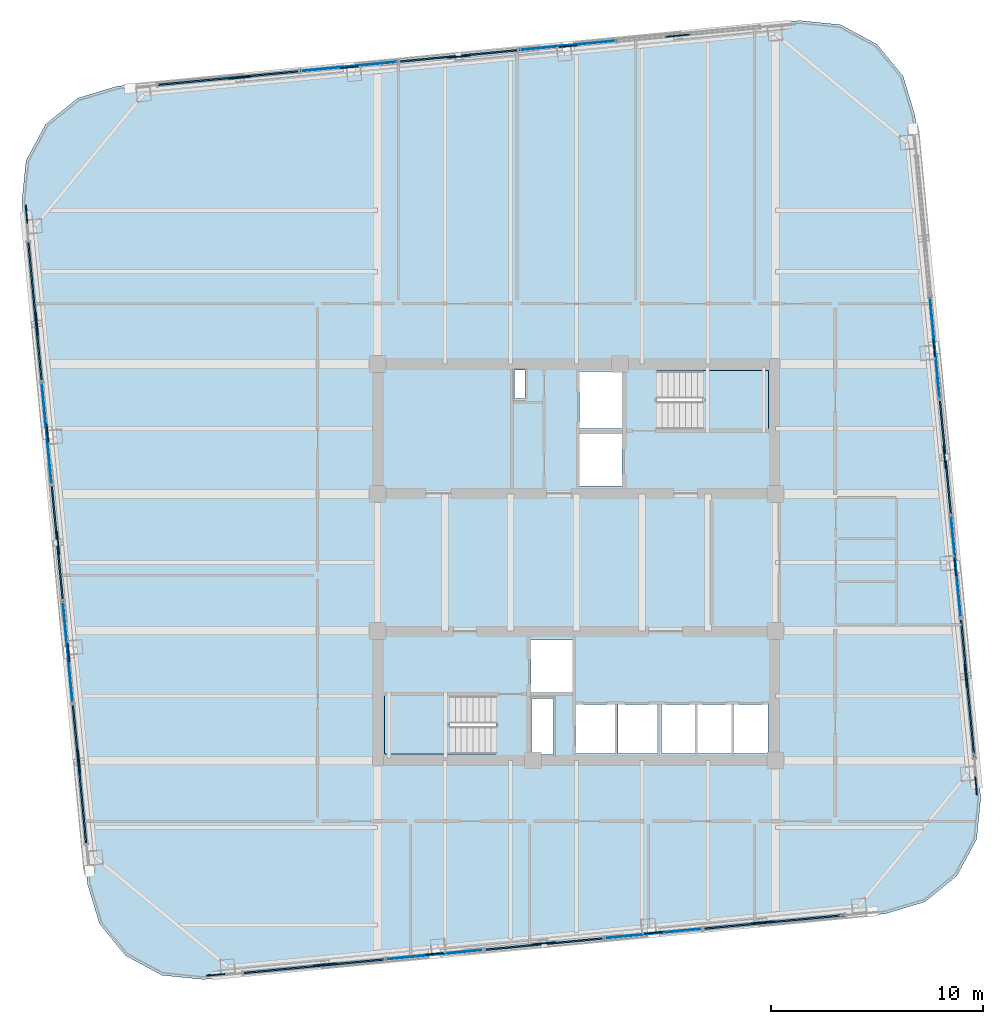
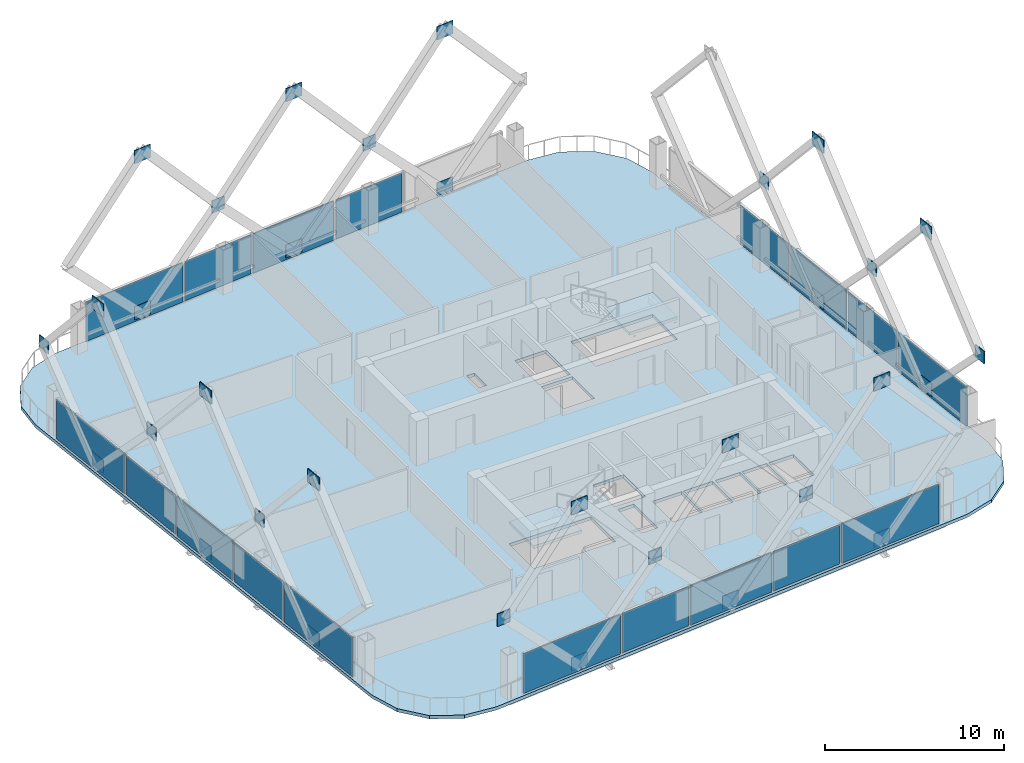
# One storey, part 28 of 34: 51 plates, 3 slabs, 20 elements without a shape of their own.
"""IFC4 building model written with IfcOpenShell, lengths in metres."""

from ifc_helpers import new_model, si_unit, direction, frame, origin, origin_2d, place, context, subcontext, project, spatial, polyline, rectangle, outline, extrude, material, layer, layer_set, type_object, element, aggregate, save


model = new_model("IFC4")

# Units and contexts
model_context = context("Model", 3, precision=1e-05, world=origin(), true_north=direction((0.0, 1.0)))
body_context = subcontext(model_context, "Body", "Model", "MODEL_VIEW")
ifc_project = project(units=[si_unit("LENGTHUNIT", "METRE"), si_unit("AREAUNIT", "SQUARE_METRE"), si_unit("VOLUMEUNIT", "CUBIC_METRE"), si_unit("PLANEANGLEUNIT", "RADIAN"), si_unit("MASSUNIT", "GRAM", prefix="KILO")], contexts=[model_context])

# Site, building, storey
site_placement = place(None, origin())
site = spatial("IfcSite", under=ifc_project, at=site_placement, CompositionType="ELEMENT")
building_placement = place(site_placement, origin())
building = spatial("IfcBuilding", under=site, at=building_placement, Name="Qhalaya Broadcast Tower", CompositionType="ELEMENT")
storey_placement = place(building_placement, frame((0.0, 0.0, 168.35009765625)))
storey = spatial("IfcBuildingStorey", under=building, at=storey_placement, Name="L49", CompositionType="ELEMENT", Elevation=168.35009765625)

# Plates
ifc_material_1 = material(Name="Structural Steel ASTM A572 Grade 50", Category="steel")
ifc_layer_1 = layer(ifc_material_1, 0.054931640625, Name="Structural Steel ASTM A572 Grade 50")
ifc_layer_set_1 = layer_set([ifc_layer_1], Name="Structural Steel ASTM A572 Grade 50")
plate_type_1 = type_object("IfcPlateType", Name="Exoskeleton Diamond Node Gusset Plate NP-01", PredefinedType="USERDEFINED", material=ifc_layer_set_1)
for number, where, z_axis, x_axis, name in (
    (1, (-11.84716796875, -18.346923828125, 0.2099609375), (0.0, 0.0, 1.0), (0.995396198367, 0.09584575252, 0.0), "Exoskeleton Diamond Node B4-S1-BOT"),
    (2, (-11.84716796875, -18.346923828125, 10.849853515625), (0.0, 0.0, 1.0), (0.995396198367, 0.09584575252, 0.0), "Exoskeleton Diamond Node B4-S1-TOP"),
):
    element("IfcPlate", number, at=place(storey_placement, frame(where, z_axis=z_axis, x_axis=x_axis)), inside=storey, type_object=plate_type_1, Name=name, ObjectType="GUSSET_PLATE", PredefinedType="USERDEFINED", context=body_context, shape_type="SweptSolid", body=[
        extrude(rectangle(XDim=1.10009765625, YDim=0.054931640625, at=origin_2d()), origin(), (0.0, 0.0, 1.0), 0.89990234375),
    ])
plate_1_placement = place(storey_placement, frame((-17.006591796875, -18.84375, 5.31494140625), z_axis=(0.0, 0.0, 1.0), x_axis=(0.995396198367, 0.09584575252, 0.0)))
element("IfcPlate", 3, at=plate_1_placement, inside=storey, type_object=plate_type_1, Name="Exoskeleton Diamond Node B4-S1-MDL", ObjectType="GUSSET_PLATE", PredefinedType="USERDEFINED", context=body_context, shape_type="SweptSolid", body=[
    extrude(rectangle(XDim=0.85009765625, YDim=0.054931640625, at=origin_2d()), origin(), (0.0, 0.0, 1.0), 0.85009765625),
])
for number, where, z_axis, x_axis, name in (
    (4, (-1.5283203125, -17.353515625, 0.2099609375), (0.0, 0.0, 1.0), (0.995396198367, 0.09584575252, 0.0), "Exoskeleton Diamond Node B4-S2-BOT"),
    (5, (-1.5283203125, -17.353515625, 10.849853515625), (0.0, 0.0, 1.0), (0.995396198367, 0.09584575252, 0.0), "Exoskeleton Diamond Node B4-S2-TOP"),
):
    element("IfcPlate", number, at=place(storey_placement, frame(where, z_axis=z_axis, x_axis=x_axis)), inside=storey, type_object=plate_type_1, Name=name, ObjectType="GUSSET_PLATE", PredefinedType="USERDEFINED", context=body_context, shape_type="SweptSolid", body=[
        extrude(rectangle(XDim=1.10009765625, YDim=0.054931640625, at=origin_2d()), origin(), (0.0, 0.0, 1.0), 0.89990234375),
    ])
plate_2_placement = place(storey_placement, frame((-6.687744140625, -17.85009765625, 5.31494140625), z_axis=(0.0, 0.0, 1.0), x_axis=(0.995396198367, 0.09584575252, 0.0)))
element("IfcPlate", 6, at=plate_2_placement, inside=storey, type_object=plate_type_1, Name="Exoskeleton Diamond Node B4-S2-MDL", ObjectType="GUSSET_PLATE", PredefinedType="USERDEFINED", context=body_context, shape_type="SweptSolid", body=[
    extrude(rectangle(XDim=0.85009765625, YDim=0.054931640625, at=origin_2d()), origin(), (0.0, 0.0, 1.0), 0.85009765625),
])
for number, where, z_axis, x_axis, name in (
    (7, (8.790771484375, -16.35986328125, 0.2099609375), (0.0, 0.0, 1.0), (0.995396198367, 0.09584575252, 0.0), "Exoskeleton Diamond Node B4-S3-BOT"),
    (8, (8.790771484375, -16.35986328125, 10.849853515625), (0.0, 0.0, 1.0), (0.995396198367, 0.09584575252, 0.0), "Exoskeleton Diamond Node B4-S3-TOP"),
):
    element("IfcPlate", number, at=place(storey_placement, frame(where, z_axis=z_axis, x_axis=x_axis)), inside=storey, type_object=plate_type_1, Name=name, ObjectType="GUSSET_PLATE", PredefinedType="USERDEFINED", context=body_context, shape_type="SweptSolid", body=[
        extrude(rectangle(XDim=1.10009765625, YDim=0.054931640625, at=origin_2d()), origin(), (0.0, 0.0, 1.0), 0.89990234375),
    ])
plate_3_placement = place(storey_placement, frame((3.63134765625, -16.856689453125, 5.31494140625), z_axis=(0.0, 0.0, 1.0), x_axis=(0.995396198367, 0.09584575252, 0.0)))
element("IfcPlate", 9, at=plate_3_placement, inside=storey, type_object=plate_type_1, Name="Exoskeleton Diamond Node B4-S3-MDL", ObjectType="GUSSET_PLATE", PredefinedType="USERDEFINED", context=body_context, shape_type="SweptSolid", body=[
    extrude(rectangle(XDim=0.85009765625, YDim=0.054931640625, at=origin_2d()), origin(), (0.0, 0.0, 1.0), 0.85009765625),
])
for number, where, z_axis, x_axis, name in (
    (10, (18.346923828125, -4.76708984375, 0.2099609375), (0.0, 0.0, 1.0), (-0.09584575252, 0.995396198367, 0.0), "Exoskeleton Diamond Node B4-E1-BOT"),
    (11, (18.346923828125, -4.76708984375, 10.849853515625), (0.0, 0.0, 1.0), (-0.09584575252, 0.995396198367, 0.0), "Exoskeleton Diamond Node B4-E1-TOP"),
):
    element("IfcPlate", number, at=place(storey_placement, frame(where, z_axis=z_axis, x_axis=x_axis)), inside=storey, type_object=plate_type_1, Name=name, ObjectType="GUSSET_PLATE", PredefinedType="USERDEFINED", context=body_context, shape_type="SweptSolid", body=[
        extrude(rectangle(XDim=1.10009765625, YDim=0.054931640625, at=origin_2d()), origin(), (0.0, 0.0, 1.0), 0.89990234375),
    ])
plate_4_placement = place(storey_placement, frame((18.84375, -9.926513671875, 5.31494140625), z_axis=(0.0, 0.0, 1.0), x_axis=(-0.09584575252, 0.995396198367, 0.0)))
element("IfcPlate", 12, at=plate_4_placement, inside=storey, type_object=plate_type_1, Name="Exoskeleton Diamond Node B4-E1-MDL", ObjectType="GUSSET_PLATE", PredefinedType="USERDEFINED", context=body_context, shape_type="SweptSolid", body=[
    extrude(rectangle(XDim=0.85009765625, YDim=0.054931640625, at=origin_2d()), origin(), (0.0, 0.0, 1.0), 0.85009765625),
])
for number, where, z_axis, x_axis, name in (
    (13, (17.353515625, 5.5517578125, 0.2099609375), (0.0, 0.0, 1.0), (-0.09584575252, 0.995396198367, 0.0), "Exoskeleton Diamond Node B4-E2-BOT"),
    (14, (17.353515625, 5.5517578125, 10.849853515625), (0.0, 0.0, 1.0), (-0.09584575252, 0.995396198367, 0.0), "Exoskeleton Diamond Node B4-E2-TOP"),
):
    element("IfcPlate", number, at=place(storey_placement, frame(where, z_axis=z_axis, x_axis=x_axis)), inside=storey, type_object=plate_type_1, Name=name, ObjectType="GUSSET_PLATE", PredefinedType="USERDEFINED", context=body_context, shape_type="SweptSolid", body=[
        extrude(rectangle(XDim=1.10009765625, YDim=0.054931640625, at=origin_2d()), origin(), (0.0, 0.0, 1.0), 0.89990234375),
    ])
for number, where, z_axis, x_axis, name in (
    (15, (17.85009765625, 0.392333984375, 5.31494140625), (0.0, 0.0, 1.0), (-0.09584575252, 0.995396198367, 0.0), "Exoskeleton Diamond Node B4-E2-MDL"),
    (16, (16.856689453125, 10.711181640625, 5.31494140625), (0.0, 0.0, 1.0), (-0.09584575252, 0.995396198367, 0.0), "Exoskeleton Diamond Node B4-E3-MDL"),
):
    element("IfcPlate", number, at=place(storey_placement, frame(where, z_axis=z_axis, x_axis=x_axis)), inside=storey, type_object=plate_type_1, Name=name, ObjectType="GUSSET_PLATE", PredefinedType="USERDEFINED", context=body_context, shape_type="SweptSolid", body=[
        extrude(rectangle(XDim=0.85009765625, YDim=0.054931640625, at=origin_2d()), origin(), (0.0, 0.0, 1.0), 0.85009765625),
    ])
for number, where, z_axis, x_axis, name in (
    (17, (4.76708984375, 25.427001953125, 0.2099609375), (0.0, 0.0, 1.0), (0.995396198367, 0.09584575252, 0.0), "Exoskeleton Diamond Node B4-N1-BOT"),
    (18, (4.76708984375, 25.427001953125, 10.849853515625), (0.0, 0.0, 1.0), (0.995396198367, 0.09584575252, 0.0), "Exoskeleton Diamond Node B4-N1-TOP"),
    (19, (-5.5517578125, 24.433349609375, 0.2099609375), (0.0, 0.0, 1.0), (0.995396198367, 0.09584575252, 0.0), "Exoskeleton Diamond Node B4-N2-BOT"),
    (20, (-5.5517578125, 24.433349609375, 10.849853515625), (0.0, 0.0, 1.0), (0.995396198367, 0.09584575252, 0.0), "Exoskeleton Diamond Node B4-N2-TOP"),
):
    element("IfcPlate", number, at=place(storey_placement, frame(where, z_axis=z_axis, x_axis=x_axis)), inside=storey, type_object=plate_type_1, Name=name, ObjectType="GUSSET_PLATE", PredefinedType="USERDEFINED", context=body_context, shape_type="SweptSolid", body=[
        extrude(rectangle(XDim=1.10009765625, YDim=0.054931640625, at=origin_2d()), origin(), (0.0, 0.0, 1.0), 0.89990234375),
    ])
plate_5_placement = place(storey_placement, frame((-0.392333984375, 24.93017578125, 5.31494140625), z_axis=(0.0, 0.0, 1.0), x_axis=(0.995396198367, 0.09584575252, 0.0)))
element("IfcPlate", 21, at=plate_5_placement, inside=storey, type_object=plate_type_1, Name="Exoskeleton Diamond Node B4-N2-MDL", ObjectType="GUSSET_PLATE", PredefinedType="USERDEFINED", context=body_context, shape_type="SweptSolid", body=[
    extrude(rectangle(XDim=0.85009765625, YDim=0.054931640625, at=origin_2d()), origin(), (0.0, 0.0, 1.0), 0.85009765625),
])
for number, where, z_axis, x_axis, name in (
    (22, (-15.87060546875, 23.439697265625, 0.2099609375), (0.0, 0.0, 1.0), (0.995396198367, 0.09584575252, 0.0), "Exoskeleton Diamond Node B4-N3-BOT"),
    (23, (-15.87060546875, 23.439697265625, 10.849853515625), (0.0, 0.0, 1.0), (0.995396198367, 0.09584575252, 0.0), "Exoskeleton Diamond Node B4-N3-TOP"),
):
    element("IfcPlate", number, at=place(storey_placement, frame(where, z_axis=z_axis, x_axis=x_axis)), inside=storey, type_object=plate_type_1, Name=name, ObjectType="GUSSET_PLATE", PredefinedType="USERDEFINED", context=body_context, shape_type="SweptSolid", body=[
        extrude(rectangle(XDim=1.10009765625, YDim=0.054931640625, at=origin_2d()), origin(), (0.0, 0.0, 1.0), 0.89990234375),
    ])
plate_6_placement = place(storey_placement, frame((-10.711181640625, 23.9365234375, 5.31494140625), z_axis=(0.0, 0.0, 1.0), x_axis=(0.995396198367, 0.09584575252, 0.0)))
element("IfcPlate", 24, at=plate_6_placement, inside=storey, type_object=plate_type_1, Name="Exoskeleton Diamond Node B4-N3-MDL", ObjectType="GUSSET_PLATE", PredefinedType="USERDEFINED", context=body_context, shape_type="SweptSolid", body=[
    extrude(rectangle(XDim=0.85009765625, YDim=0.054931640625, at=origin_2d()), origin(), (0.0, 0.0, 1.0), 0.85009765625),
])
for number, where, z_axis, x_axis, name in (
    (25, (-25.427001953125, 11.84716796875, 0.2099609375), (0.0, 0.0, 1.0), (-0.09584575252, 0.995396198367, 0.0), "Exoskeleton Diamond Node B4-W1-BOT"),
    (26, (-25.427001953125, 11.84716796875, 10.849853515625), (0.0, 0.0, 1.0), (-0.09584575252, 0.995396198367, 0.0), "Exoskeleton Diamond Node B4-W1-TOP"),
):
    element("IfcPlate", number, at=place(storey_placement, frame(where, z_axis=z_axis, x_axis=x_axis)), inside=storey, type_object=plate_type_1, Name=name, ObjectType="GUSSET_PLATE", PredefinedType="USERDEFINED", context=body_context, shape_type="SweptSolid", body=[
        extrude(rectangle(XDim=1.10009765625, YDim=0.054931640625, at=origin_2d()), origin(), (0.0, 0.0, 1.0), 0.89990234375),
    ])
plate_7_placement = place(storey_placement, frame((-25.923828125, 17.006591796875, 5.31494140625), z_axis=(0.0, 0.0, 1.0), x_axis=(-0.09584575252, 0.995396198367, 0.0)))
element("IfcPlate", 27, at=plate_7_placement, inside=storey, type_object=plate_type_1, Name="Exoskeleton Diamond Node B4-W1-MDL", ObjectType="GUSSET_PLATE", PredefinedType="USERDEFINED", context=body_context, shape_type="SweptSolid", body=[
    extrude(rectangle(XDim=0.85009765625, YDim=0.054931640625, at=origin_2d()), origin(), (0.0, 0.0, 1.0), 0.85009765625),
])
for number, where, z_axis, x_axis, name in (
    (28, (-24.433349609375, 1.5283203125, 0.2099609375), (0.0, 0.0, 1.0), (-0.09584575252, 0.995396198367, 0.0), "Exoskeleton Diamond Node B4-W2-BOT"),
    (29, (-24.433349609375, 1.5283203125, 10.849853515625), (0.0, 0.0, 1.0), (-0.09584575252, 0.995396198367, 0.0), "Exoskeleton Diamond Node B4-W2-TOP"),
):
    element("IfcPlate", number, at=place(storey_placement, frame(where, z_axis=z_axis, x_axis=x_axis)), inside=storey, type_object=plate_type_1, Name=name, ObjectType="GUSSET_PLATE", PredefinedType="USERDEFINED", context=body_context, shape_type="SweptSolid", body=[
        extrude(rectangle(XDim=1.10009765625, YDim=0.054931640625, at=origin_2d()), origin(), (0.0, 0.0, 1.0), 0.89990234375),
    ])
plate_8_placement = place(storey_placement, frame((-24.93017578125, 6.687744140625, 5.31494140625), z_axis=(0.0, 0.0, 1.0), x_axis=(-0.09584575252, 0.995396198367, 0.0)))
element("IfcPlate", 30, at=plate_8_placement, inside=storey, type_object=plate_type_1, Name="Exoskeleton Diamond Node B4-W2-MDL", ObjectType="GUSSET_PLATE", PredefinedType="USERDEFINED", context=body_context, shape_type="SweptSolid", body=[
    extrude(rectangle(XDim=0.85009765625, YDim=0.054931640625, at=origin_2d()), origin(), (0.0, 0.0, 1.0), 0.85009765625),
])
for number, where, z_axis, x_axis, name in (
    (31, (-23.439697265625, -8.790771484375, 0.2099609375), (0.0, 0.0, 1.0), (-0.09584575252, 0.995396198367, 0.0), "Exoskeleton Diamond Node B4-W3-BOT"),
    (32, (-23.439697265625, -8.790771484375, 10.849853515625), (0.0, 0.0, 1.0), (-0.09584575252, 0.995396198367, 0.0), "Exoskeleton Diamond Node B4-W3-TOP"),
):
    element("IfcPlate", number, at=place(storey_placement, frame(where, z_axis=z_axis, x_axis=x_axis)), inside=storey, type_object=plate_type_1, Name=name, ObjectType="GUSSET_PLATE", PredefinedType="USERDEFINED", context=body_context, shape_type="SweptSolid", body=[
        extrude(rectangle(XDim=1.10009765625, YDim=0.054931640625, at=origin_2d()), origin(), (0.0, 0.0, 1.0), 0.89990234375),
    ])
plate_9_placement = place(storey_placement, frame((-23.9365234375, -3.63134765625, 5.31494140625), z_axis=(0.0, 0.0, 1.0), x_axis=(-0.09584575252, 0.995396198367, 0.0)))
element("IfcPlate", 33, at=plate_9_placement, inside=storey, type_object=plate_type_1, Name="Exoskeleton Diamond Node B4-W3-MDL", ObjectType="GUSSET_PLATE", PredefinedType="USERDEFINED", context=body_context, shape_type="SweptSolid", body=[
    extrude(rectangle(XDim=0.85009765625, YDim=0.054931640625, at=origin_2d()), origin(), (0.0, 0.0, 1.0), 0.85009765625),
])

# Curtain wall, plate
ifc_material_2 = material(Name="Fired Architectural Terracotta", Category="masonry")
ifc_layer_2 = layer(ifc_material_2, 0.219970703125, Name="Fired Architectural Terracotta")
ifc_layer_set_2 = layer_set([ifc_layer_2], Name="Fired Architectural Terracotta")
curtain_wall_type_1 = type_object("IfcCurtainWallType", Name="Block-Cap Unitised Terracotta Spandrel Wall CW-07", PredefinedType="NOTDEFINED", material=ifc_layer_set_2)
curtain_wall_1_placement = place(storey_placement, origin())
curtain_wall_1 = element("IfcCurtainWall", 34, at=curtain_wall_1_placement, inside=storey, type_object=curtain_wall_type_1, Name="L49 Unitised Curtain Wall L49-CW-S1", PredefinedType="NOTDEFINED")
ifc_layer_3 = layer(ifc_material_2, 0.080078125, Name="Fired Architectural Terracotta")
ifc_layer_set_3 = layer_set([ifc_layer_3], Name="Fired Architectural Terracotta")
plate_type_2 = type_object("IfcPlateType", Name="Insulated Terracotta Spandrel Panel TSP-07", PredefinedType="CURTAIN_PANEL", material=ifc_layer_set_3)
plate_10_placement = place(storey_placement, frame((-12.384033203125, -18.43896484375, 0.07470703125), z_axis=(0.0, 0.0, 1.0), x_axis=(0.99539669829, 0.095840560477, 0.0)))
plate_10 = element("IfcPlate", 35, at=plate_10_placement, type_object=plate_type_2, Name="CW-07 panel 1.1", PredefinedType="CURTAIN_PANEL", context=body_context, shape_type="SweptSolid", body=[
    extrude(rectangle(XDim=6.630126953125, YDim=0.080078125, at=origin_2d()), origin(), (0.0, 0.0, 1.0), 2.679931640625),
])
aggregate(curtain_wall_1, [plate_10])

curtain_wall_2_placement = place(storey_placement, origin())
curtain_wall_2 = element("IfcCurtainWall", 36, at=curtain_wall_2_placement, inside=storey, type_object=curtain_wall_type_1, Name="L49 Unitised Curtain Wall L49-CW-S3", PredefinedType="NOTDEFINED")
plate_11_placement = place(storey_placement, frame((-1.5244140625, -17.393310546875, 0.07470703125), z_axis=(0.0, 0.0, 1.0), x_axis=(0.995395435525, 0.095853674613, 0.0)))
plate_11 = element("IfcPlate", 37, at=plate_11_placement, type_object=plate_type_2, Name="CW-07 panel 1.1", PredefinedType="CURTAIN_PANEL", context=body_context, shape_type="SweptSolid", body=[
    extrude(rectangle(XDim=5.5419921875, YDim=0.080078125, at=origin_2d()), origin(), (0.0, 0.0, 1.0), 2.679931640625),
])
aggregate(curtain_wall_2, [plate_11])

curtain_wall_3_placement = place(storey_placement, origin())
curtain_wall_3 = element("IfcCurtainWall", 38, at=curtain_wall_3_placement, inside=storey, type_object=curtain_wall_type_1, Name="L49 Unitised Curtain Wall L49-CW-S5", PredefinedType="NOTDEFINED")
plate_12_placement = place(storey_placement, frame((9.33544921875, -16.347412109375, 0.07470703125), z_axis=(0.0, 0.0, 1.0), x_axis=(0.99539669829, 0.095840560477, 0.0)))
plate_12 = element("IfcPlate", 39, at=plate_12_placement, type_object=plate_type_2, Name="CW-07 panel 1.1", PredefinedType="CURTAIN_PANEL", context=body_context, shape_type="SweptSolid", body=[
    extrude(rectangle(XDim=6.630126953125, YDim=0.080078125, at=origin_2d()), origin(), (0.0, 0.0, 1.0), 2.679931640625),
])
aggregate(curtain_wall_3, [plate_12])

curtain_wall_4_placement = place(storey_placement, origin())
curtain_wall_4 = element("IfcCurtainWall", 40, at=curtain_wall_4_placement, inside=storey, type_object=curtain_wall_type_1, Name="L49 Unitised Curtain Wall L49-CW-E1", PredefinedType="NOTDEFINED")
plate_13_placement = place(storey_placement, frame((18.443359375, -5.350830078125, 0.07470703125), z_axis=(0.0, 0.0, 1.0), x_axis=(-0.095842362816, 0.995396524753, 0.0)))
plate_13 = element("IfcPlate", 41, at=plate_13_placement, type_object=plate_type_2, Name="CW-07 panel 1.1", PredefinedType="CURTAIN_PANEL", context=body_context, shape_type="SweptSolid", body=[
    extrude(rectangle(XDim=6.535888671875, YDim=0.080078125, at=origin_2d()), origin(), (0.0, 0.0, 1.0), 2.679931640625),
])
aggregate(curtain_wall_4, [plate_13])

curtain_wall_5_placement = place(storey_placement, origin())
curtain_wall_5 = element("IfcCurtainWall", 42, at=curtain_wall_5_placement, inside=storey, type_object=curtain_wall_type_1, Name="L49 Unitised Curtain Wall L49-CW-E3", PredefinedType="NOTDEFINED")
plate_14_placement = place(storey_placement, frame((17.393310546875, 5.5556640625, 0.07470703125), z_axis=(0.0, 0.0, 1.0), x_axis=(-0.095858099514, 0.99539500941, 0.0)))
plate_14 = element("IfcPlate", 43, at=plate_14_placement, type_object=plate_type_2, Name="CW-07 panel 1.1", PredefinedType="CURTAIN_PANEL", context=body_context, shape_type="SweptSolid", body=[
    extrude(rectangle(XDim=5.35595703125, YDim=0.080078125, at=origin_2d()), origin(), (0.0, 0.0, 1.0), 2.679931640625),
])
aggregate(curtain_wall_5, [plate_14])

curtain_wall_6_placement = place(storey_placement, origin())
curtain_wall_6 = element("IfcCurtainWall", 44, at=curtain_wall_6_placement, inside=storey, type_object=curtain_wall_type_1, Name="L49 Unitised Curtain Wall L49-CW-N3", PredefinedType="NOTDEFINED")
plate_15_placement = place(storey_placement, frame((-5.5556640625, 24.47314453125, 0.07470703125), z_axis=(0.0, 0.0, 1.0), x_axis=(-0.995395435525, -0.095853674613, 0.0)))
plate_15 = element("IfcPlate", 45, at=plate_15_placement, type_object=plate_type_2, Name="CW-07 panel 1.1", PredefinedType="CURTAIN_PANEL", context=body_context, shape_type="SweptSolid", body=[
    extrude(rectangle(XDim=5.5419921875, YDim=0.080078125, at=origin_2d()), origin(), (0.0, 0.0, 1.0), 2.679931640625),
])
aggregate(curtain_wall_6, [plate_15])

curtain_wall_7_placement = place(storey_placement, origin())
curtain_wall_7 = element("IfcCurtainWall", 46, at=curtain_wall_7_placement, inside=storey, type_object=curtain_wall_type_1, Name="L49 Unitised Curtain Wall L49-CW-N5", PredefinedType="NOTDEFINED")
plate_16_placement = place(storey_placement, frame((-16.415283203125, 23.427490234375, 0.07470703125), z_axis=(0.0, 0.0, 1.0), x_axis=(-0.99539669829, -0.095840560477, 0.0)))
plate_16 = element("IfcPlate", 47, at=plate_16_placement, type_object=plate_type_2, Name="CW-07 panel 1.1", PredefinedType="CURTAIN_PANEL", context=body_context, shape_type="SweptSolid", body=[
    extrude(rectangle(XDim=6.630126953125, YDim=0.080078125, at=origin_2d()), origin(), (0.0, 0.0, 1.0), 2.679931640625),
])
aggregate(curtain_wall_7, [plate_16])

curtain_wall_8_placement = place(storey_placement, origin())
curtain_wall_8 = element("IfcCurtainWall", 48, at=curtain_wall_8_placement, inside=storey, type_object=curtain_wall_type_1, Name="L49 Unitised Curtain Wall L49-CW-W1", PredefinedType="NOTDEFINED")
plate_17_placement = place(storey_placement, frame((-25.5234375, 12.430908203125, 0.07470703125), z_axis=(0.0, 0.0, 1.0), x_axis=(0.095842362816, -0.995396524753, 0.0)))
plate_17 = element("IfcPlate", 49, at=plate_17_placement, type_object=plate_type_2, Name="CW-07 panel 1.1", PredefinedType="CURTAIN_PANEL", context=body_context, shape_type="SweptSolid", body=[
    extrude(rectangle(XDim=6.535888671875, YDim=0.080078125, at=origin_2d()), origin(), (0.0, 0.0, 1.0), 2.679931640625),
])
aggregate(curtain_wall_8, [plate_17])

curtain_wall_9_placement = place(storey_placement, origin())
curtain_wall_9 = element("IfcCurtainWall", 50, at=curtain_wall_9_placement, inside=storey, type_object=curtain_wall_type_1, Name="L49 Unitised Curtain Wall L49-CW-W3", PredefinedType="NOTDEFINED")
plate_18_placement = place(storey_placement, frame((-24.47314453125, 1.5244140625, 0.07470703125), z_axis=(0.0, 0.0, 1.0), x_axis=(0.095858099514, -0.99539500941, 0.0)))
plate_18 = element("IfcPlate", 51, at=plate_18_placement, type_object=plate_type_2, Name="CW-07 panel 1.1", PredefinedType="CURTAIN_PANEL", context=body_context, shape_type="SweptSolid", body=[
    extrude(rectangle(XDim=5.35595703125, YDim=0.080078125, at=origin_2d()), origin(), (0.0, 0.0, 1.0), 2.679931640625),
])
aggregate(curtain_wall_9, [plate_18])

curtain_wall_10_placement = place(storey_placement, origin())
curtain_wall_10 = element("IfcCurtainWall", 52, at=curtain_wall_10_placement, inside=storey, type_object=curtain_wall_type_1, Name="L49 Unitised Curtain Wall L49-CW-W5", PredefinedType="NOTDEFINED")
plate_19_placement = place(storey_placement, frame((-23.423095703125, -9.382080078125, 0.07470703125), z_axis=(0.0, 0.0, 1.0), x_axis=(0.095842362816, -0.995396524753, 0.0)))
plate_19 = element("IfcPlate", 53, at=plate_19_placement, type_object=plate_type_2, Name="CW-07 panel 1.1", PredefinedType="CURTAIN_PANEL", context=body_context, shape_type="SweptSolid", body=[
    extrude(rectangle(XDim=6.535888671875, YDim=0.080078125, at=origin_2d()), origin(), (0.0, 0.0, 1.0), 2.679931640625),
])
aggregate(curtain_wall_10, [plate_19])

ifc_material_3 = material(Name="Solar-Control Low-E Triple Glazing", Category="glass")
ifc_layer_4 = layer(ifc_material_3, 0.219970703125, Name="Solar-Control Low-E Triple Glazing")
ifc_layer_set_4 = layer_set([ifc_layer_4], Name="Solar-Control Low-E Triple Glazing")
curtain_wall_type_2 = type_object("IfcCurtainWallType", Name="Even-Block 4-Storey Double-Module Curtain Wall CW-03", PredefinedType="NOTDEFINED", material=ifc_layer_set_4)
curtain_wall_11_placement = place(storey_placement, origin())
curtain_wall_11 = element("IfcCurtainWall", 54, at=curtain_wall_11_placement, inside=storey, type_object=curtain_wall_type_2, Name="L49 Unitised Curtain Wall L49-CW-S2", PredefinedType="NOTDEFINED")
ifc_layer_5 = layer(ifc_material_3, 0.035888671875, Name="Solar-Control Low-E Triple Glazing")
ifc_layer_set_5 = layer_set([ifc_layer_5], Name="Solar-Control Low-E Triple Glazing")
plate_type_3 = type_object("IfcPlateType", Name="Solar-Control Curtain Glazing Panel GLP-03", PredefinedType="CURTAIN_PANEL", material=ifc_layer_set_5)
plate_20_placement = place(storey_placement, frame((-6.683349609375, -17.889892578125, 0.07470703125), z_axis=(0.0, 0.0, 1.0), x_axis=(0.995395888038, 0.095848975357, 0.0)))
plate_20 = element("IfcPlate", 55, at=plate_20_placement, type_object=plate_type_3, Name="CW-03 panel 1.1", PredefinedType="CURTAIN_PANEL", context=body_context, shape_type="SweptSolid", body=[
    extrude(rectangle(XDim=4.52392578125, YDim=0.035888671875, at=origin_2d()), origin(), (0.0, 0.0, 1.0), 2.679931640625),
])
aggregate(curtain_wall_11, [plate_20])

curtain_wall_12_placement = place(storey_placement, origin())
curtain_wall_12 = element("IfcCurtainWall", 56, at=curtain_wall_12_placement, inside=storey, type_object=curtain_wall_type_2, Name="L49 Unitised Curtain Wall L49-CW-S4", PredefinedType="NOTDEFINED")
plate_21_placement = place(storey_placement, frame((3.634765625, -16.896484375, 0.07470703125), z_axis=(0.0, 0.0, 1.0), x_axis=(0.995395691478, 0.095851016624, 0.0)))
plate_21 = element("IfcPlate", 57, at=plate_21_placement, type_object=plate_type_3, Name="CW-03 panel 1.1", PredefinedType="CURTAIN_PANEL", context=body_context, shape_type="SweptSolid", body=[
    extrude(rectangle(XDim=4.52392578125, YDim=0.035888671875, at=origin_2d()), origin(), (0.0, 0.0, 1.0), 2.679931640625),
])
aggregate(curtain_wall_12, [plate_21])

curtain_wall_13_placement = place(storey_placement, origin())
curtain_wall_13 = element("IfcCurtainWall", 58, at=curtain_wall_13_placement, inside=storey, type_object=curtain_wall_type_2, Name="L49 Unitised Curtain Wall L49-CW-E2", PredefinedType="NOTDEFINED")
plate_22_placement = place(storey_placement, frame((17.89013671875, 0.39599609375, 0.07470703125), z_axis=(0.0, 0.0, 1.0), x_axis=(-0.095844898762, 0.995396280574, 0.0)))
plate_22 = element("IfcPlate", 59, at=plate_22_placement, type_object=plate_type_3, Name="CW-03 panel 1.1", PredefinedType="CURTAIN_PANEL", context=body_context, shape_type="SweptSolid", body=[
    extrude(rectangle(XDim=4.7109375, YDim=0.035888671875, at=origin_2d()), origin(), (0.0, 0.0, 1.0), 2.679931640625),
])
aggregate(curtain_wall_13, [plate_22])

curtain_wall_14_placement = place(storey_placement, origin())
curtain_wall_14 = element("IfcCurtainWall", 60, at=curtain_wall_14_placement, inside=storey, type_object=curtain_wall_type_2, Name="L49 Unitised Curtain Wall L49-CW-E4", PredefinedType="NOTDEFINED")
plate_23_placement = place(storey_placement, frame((16.896240234375, 10.71533203125, 0.07470703125), z_axis=(0.0, 0.0, 1.0), x_axis=(-0.095844898762, 0.995396280574, 0.0)))
plate_23 = element("IfcPlate", 61, at=plate_23_placement, type_object=plate_type_3, Name="CW-03 panel 1.1", PredefinedType="CURTAIN_PANEL", context=body_context, shape_type="SweptSolid", body=[
    extrude(rectangle(XDim=4.7109375, YDim=0.035888671875, at=origin_2d()), origin(), (0.0, 0.0, 1.0), 2.679931640625),
])
aggregate(curtain_wall_14, [plate_23])

curtain_wall_15_placement = place(storey_placement, origin())
curtain_wall_15 = element("IfcCurtainWall", 62, at=curtain_wall_15_placement, inside=storey, type_object=curtain_wall_type_2, Name="L49 Unitised Curtain Wall L49-CW-N2", PredefinedType="NOTDEFINED")
plate_24_placement = place(storey_placement, frame((-0.396484375, 24.969970703125, 0.07470703125), z_axis=(0.0, 0.0, 1.0), x_axis=(-0.995395888038, -0.095848975357, 0.0)))
plate_24 = element("IfcPlate", 63, at=plate_24_placement, type_object=plate_type_3, Name="CW-03 panel 1.1", PredefinedType="CURTAIN_PANEL", context=body_context, shape_type="SweptSolid", body=[
    extrude(rectangle(XDim=4.52392578125, YDim=0.035888671875, at=origin_2d()), origin(), (0.0, 0.0, 1.0), 2.679931640625),
])
aggregate(curtain_wall_15, [plate_24])

curtain_wall_16_placement = place(storey_placement, origin())
curtain_wall_16 = element("IfcCurtainWall", 64, at=curtain_wall_16_placement, inside=storey, type_object=curtain_wall_type_2, Name="L49 Unitised Curtain Wall L49-CW-N4", PredefinedType="NOTDEFINED")
plate_25_placement = place(storey_placement, frame((-10.71484375, 23.976318359375, 0.07470703125), z_axis=(0.0, 0.0, 1.0), x_axis=(-0.995395691478, -0.095851016624, 0.0)))
plate_25 = element("IfcPlate", 65, at=plate_25_placement, type_object=plate_type_3, Name="CW-03 panel 1.1", PredefinedType="CURTAIN_PANEL", context=body_context, shape_type="SweptSolid", body=[
    extrude(rectangle(XDim=4.52392578125, YDim=0.035888671875, at=origin_2d()), origin(), (0.0, 0.0, 1.0), 2.679931640625),
])
aggregate(curtain_wall_16, [plate_25])

curtain_wall_17_placement = place(storey_placement, origin())
curtain_wall_17 = element("IfcCurtainWall", 66, at=curtain_wall_17_placement, inside=storey, type_object=curtain_wall_type_2, Name="L49 Unitised Curtain Wall L49-CW-W2", PredefinedType="NOTDEFINED")
plate_26_placement = place(storey_placement, frame((-24.969970703125, 6.68408203125, 0.07470703125), z_axis=(0.0, 0.0, 1.0), x_axis=(0.095844898762, -0.995396280574, 0.0)))
plate_26 = element("IfcPlate", 67, at=plate_26_placement, type_object=plate_type_3, Name="CW-03 panel 1.1", PredefinedType="CURTAIN_PANEL", context=body_context, shape_type="SweptSolid", body=[
    extrude(rectangle(XDim=4.7109375, YDim=0.035888671875, at=origin_2d()), origin(), (0.0, 0.0, 1.0), 2.679931640625),
])
aggregate(curtain_wall_17, [plate_26])

curtain_wall_18_placement = place(storey_placement, origin())
curtain_wall_18 = element("IfcCurtainWall", 68, at=curtain_wall_18_placement, inside=storey, type_object=curtain_wall_type_2, Name="L49 Unitised Curtain Wall L49-CW-W4", PredefinedType="NOTDEFINED")
plate_27_placement = place(storey_placement, frame((-23.976318359375, -3.63525390625, 0.07470703125), z_axis=(0.0, 0.0, 1.0), x_axis=(0.095844898762, -0.995396280574, 0.0)))
plate_27 = element("IfcPlate", 69, at=plate_27_placement, type_object=plate_type_3, Name="CW-03 panel 1.1", PredefinedType="CURTAIN_PANEL", context=body_context, shape_type="SweptSolid", body=[
    extrude(rectangle(XDim=4.7109375, YDim=0.035888671875, at=origin_2d()), origin(), (0.0, 0.0, 1.0), 2.679931640625),
])
aggregate(curtain_wall_18, [plate_27])

# Stair, slab
ifc_material_4 = material(Name="Concrete C40/50", Category="concrete")
stair_type = type_object("IfcStairType", Name="Protected Dogleg Core Stair 3150", PredefinedType="TWO_STRAIGHT_RUN_STAIR", material=ifc_material_4)
stair_1_placement = place(storey_placement, origin())
stair_1 = element("IfcStair", 70, at=stair_1_placement, inside=storey, type_object=stair_type, Name="L49 North Core Exit Stair ST-1", PredefinedType="TWO_STRAIGHT_RUN_STAIR")
ifc_layer_6 = layer(ifc_material_4, 0.199951171875, Name="Concrete C40/50")
ifc_layer_set_6 = layer_set([ifc_layer_6], Name="Concrete C40/50")
slab_type_1 = type_object("IfcSlabType", Name="Stair & Ramp Half-Landing Slab 200", PredefinedType="LANDING", material=ifc_layer_set_6)
slab_1_placement = place(storey_placement, frame((0.0, 0.0, 1.324951171875)))
slab_1 = element("IfcSlab", 71, at=slab_1_placement, type_object=slab_type_1, Name="ST-1 landing 1", PredefinedType="LANDING", context=body_context, shape_type="SweptSolid", body=[
    extrude(outline(polyline([(5.955078125, 6.8798828125), (9.050048828125, 6.8798828125), (9.050048828125, 9.639892578125), (5.955078125, 9.639892578125), (5.955078125, 6.8798828125)])), origin(), (0.0, 0.0, 1.0), 0.199951171875),
])
aggregate(stair_1, [slab_1])

stair_2_placement = place(storey_placement, origin())
stair_2 = element("IfcStair", 72, at=stair_2_placement, inside=storey, type_object=stair_type, Name="L49 South Core Exit Stair ST-2", PredefinedType="TWO_STRAIGHT_RUN_STAIR")
slab_2_placement = place(storey_placement, frame((0.0, 0.0, 1.324951171875)))
slab_2 = element("IfcSlab", 73, at=slab_2_placement, type_object=slab_type_1, Name="ST-2 landing 1", PredefinedType="LANDING", context=body_context, shape_type="SweptSolid", body=[
    extrude(outline(polyline([(-5.955078125, -5.679931640625), (-9.050048828125, -5.679931640625), (-9.050048828125, -8.43994140625), (-5.955078125, -8.43994140625), (-5.955078125, -5.679931640625)])), origin(), (0.0, 0.0, 1.0), 0.199951171875),
])
aggregate(stair_2, [slab_2])

# Slab
ifc_layer_7 = layer(ifc_material_4, 0.219970703125, Name="Concrete C40/50")
ifc_layer_set_7 = layer_set([ifc_layer_7], Name="Concrete C40/50")
slab_type_2 = type_object("IfcSlabType", Name="Tower Composite Floor Slab 220", PredefinedType="FLOOR", material=ifc_layer_set_7)
slab_3_placement = place(storey_placement, frame((0.0, 0.0, -0.22021484375)))
element("IfcSlab", 74, at=slab_3_placement, inside=storey, type_object=slab_type_2, Name="L49 Main Structural Floor Slab", PredefinedType="FLOOR", context=body_context, shape_type="SweptSolid", body=[
    extrude(outline(polyline([(14.562744140625, -15.964599609375), (16.430908203125, -15.402587890625), (17.941650390625, -14.168212890625), (18.864990234375, -12.44970703125), (19.060546875, -10.508544921875), (15.964599609375, 21.642822265625), (15.402587890625, 23.510986328125), (14.168212890625, 25.021728515625), (12.44970703125, 25.945068359375), (10.508544921875, 26.140380859375), (-21.642822265625, 23.044677734375), (-23.510986328125, 22.482421875), (-25.021728515625, 21.248046875), (-25.945068359375, 19.529541015625), (-26.140380859375, 17.58837890625), (-23.044677734375, -14.562744140625), (-22.482421875, -16.430908203125), (-21.248046875, -17.941650390625), (-19.529541015625, -18.864990234375), (-17.58837890625, -19.060546875), (14.562744140625, -15.964599609375)]), holes=[polyline([(3.784912109375, 9.639892578125), (9.050048828125, 9.639892578125), (9.050048828125, 6.8798828125), (3.784912109375, 6.8798828125), (3.784912109375, 9.639892578125)]), polyline([(-3.784912109375, -8.43994140625), (-9.050048828125, -8.43994140625), (-9.050048828125, -5.679931640625), (-3.784912109375, -5.679931640625), (-3.784912109375, -8.43994140625)]), polyline([(0.14990234375, 6.64990234375), (2.14990234375, 6.64990234375), (2.14990234375, 4.199951171875), (0.14990234375, 4.199951171875), (0.14990234375, 6.64990234375)]), polyline([(0.14990234375, 9.60009765625), (2.14990234375, 9.60009765625), (2.14990234375, 6.89990234375), (0.14990234375, 6.89990234375), (0.14990234375, 9.60009765625)]), polyline([(-2.14990234375, -3.050048828125), (-0.14990234375, -3.050048828125), (-0.14990234375, -5.5), (-2.14990234375, -5.5), (-2.14990234375, -3.050048828125)]), polyline([(-0.050048828125, -6.10009765625), (1.830078125, -6.10009765625), (1.830078125, -8.39990234375), (-0.050048828125, -8.39990234375), (-0.050048828125, -6.10009765625)]), polyline([(1.949951171875, -6.10009765625), (3.830078125, -6.10009765625), (3.830078125, -8.39990234375), (1.949951171875, -8.39990234375), (1.949951171875, -6.10009765625)]), polyline([(4.0, -6.10009765625), (5.60009765625, -6.10009765625), (5.60009765625, -8.39990234375), (4.0, -8.39990234375), (4.0, -6.10009765625)]), polyline([(5.719970703125, -6.10009765625), (7.320068359375, -6.10009765625), (7.320068359375, -8.39990234375), (5.719970703125, -8.39990234375), (5.719970703125, -6.10009765625)]), polyline([(7.43994140625, -6.10009765625), (9.0400390625, -6.10009765625), (9.0400390625, -8.39990234375), (7.43994140625, -8.39990234375), (7.43994140625, -6.10009765625)]), polyline([(-2.919921875, 9.659912109375), (-2.419921875, 9.659912109375), (-2.419921875, 8.320068359375), (-2.919921875, 8.320068359375), (-2.919921875, 9.659912109375)]), polyline([(-2.1201171875, -5.820068359375), (-1.080078125, -5.820068359375), (-1.080078125, -8.4599609375), (-2.1201171875, -8.4599609375), (-2.1201171875, -5.820068359375)])]), origin(), (0.0, 0.0, 1.0), 0.22021484375),
])

save(model, "model.ifc")
